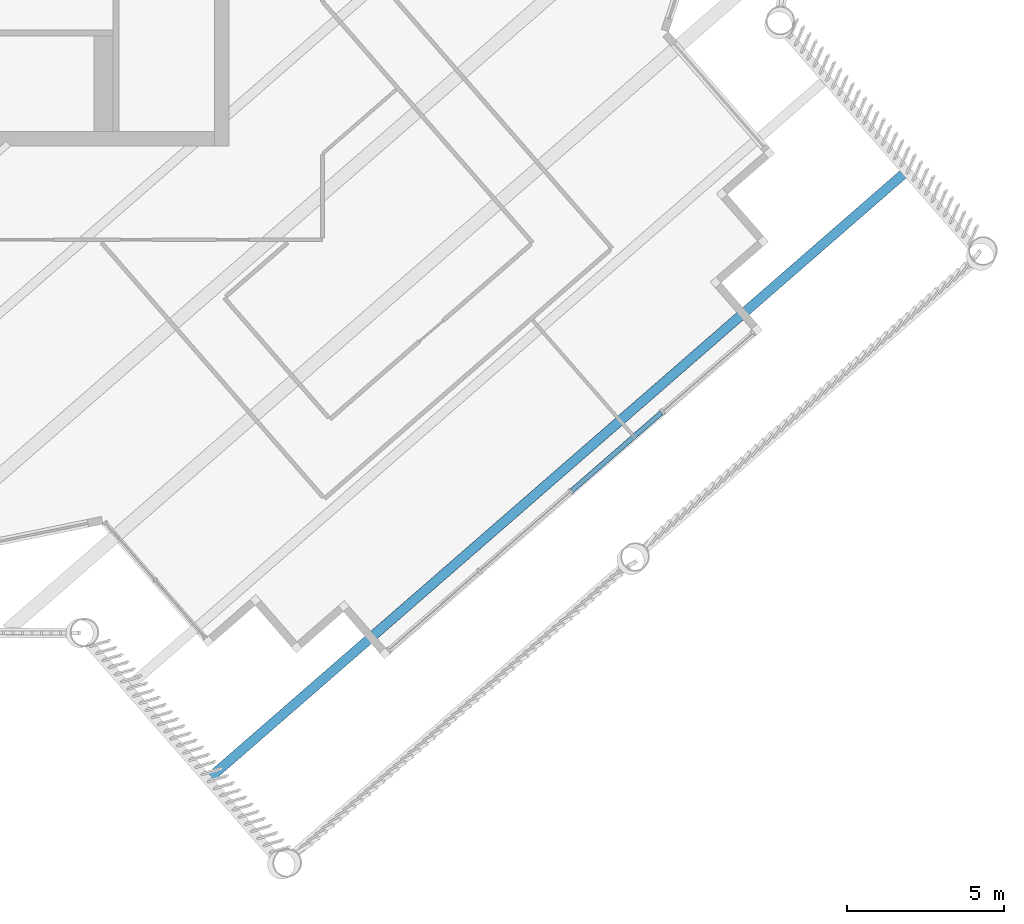
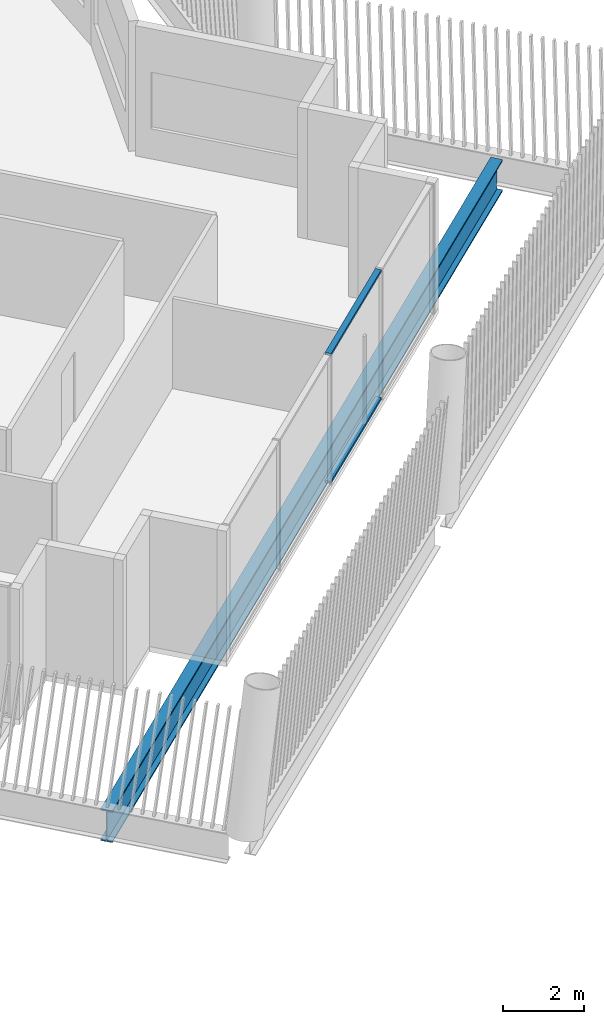
# One storey, part 15 of 28: 2 members, 1 beam, 1 element without a shape of its own.
"""IFC4 building model written with IfcOpenShell, lengths in metres."""

from ifc_helpers import new_model, si_unit, direction, frame, origin, origin_2d, place, context, subcontext, project, spatial, hollow_rectangle, i_section, extrude, material, layer, layer_set, material_profile, profile_set, type_object, element, aggregate, save


model = new_model("IFC4")

# Units and contexts
model_context = context("Model", 3, precision=1e-05, world=origin(), true_north=direction((0.0, 1.0)))
body_context = subcontext(model_context, "Body", "Model", "MODEL_VIEW")
ifc_project = project(units=[si_unit("LENGTHUNIT", "METRE"), si_unit("AREAUNIT", "SQUARE_METRE"), si_unit("VOLUMEUNIT", "CUBIC_METRE"), si_unit("PLANEANGLEUNIT", "RADIAN"), si_unit("MASSUNIT", "GRAM", prefix="KILO")], contexts=[model_context])

# Site, building, storey
site_placement = place(None, origin())
site = spatial("IfcSite", under=ifc_project, at=site_placement, CompositionType="ELEMENT")
building_placement = place(site_placement, origin())
building = spatial("IfcBuilding", under=site, at=building_placement, Name="Tarsis Ring Headquarters", CompositionType="ELEMENT")
storey_placement = place(building_placement, frame((0.0, 0.0, 394.39990234375)))
storey = spatial("IfcBuildingStorey", under=building, at=storey_placement, Name="L93", CompositionType="ELEMENT", Elevation=394.39990234375)

# Curtain wall, members
ifc_material_1 = material(Name="Aluminium curtain wall", Category="aluminium")
ifc_layer = layer(ifc_material_1, 0.199951171875)
ifc_layer_set = layer_set([ifc_layer], Name="Curtain wall executive tip")
curtain_wall_type = type_object("IfcCurtainWallType", Name="Curtain wall executive tip", PredefinedType="NOTDEFINED", material=ifc_layer_set)
curtain_wall_placement = place(storey_placement, origin())
curtain_wall = element("IfcCurtainWall", 1, at=curtain_wall_placement, inside=storey, type_object=curtain_wall_type, Name="Curtain wall L93-11", PredefinedType="NOTDEFINED")
ifc_material_2 = material(Name="Aluminium transom", Category="aluminium")
ifc_material_profile_1 = material_profile(ifc_material_2, hollow_rectangle(XDim=0.159912109375, YDim=0.070068359375, WallThickness=0.0048828125, at=origin_2d()), Name="RHS 160x70x5")
ifc_profile_set_1 = profile_set([ifc_material_profile_1], Name="Aluminium transom")
member_type = type_object("IfcMemberType", Name="Curtain wall transom executive tip RHS 160x70x5", PredefinedType="USERDEFINED", material=ifc_profile_set_1)
member_1_placement = place(storey_placement, frame((20.955078125, -24.018798828125, 0.03515625), z_axis=(0.754247638804, 0.656590054264, 0.0), x_axis=(-0.656590054264, 0.754247638804, 0.0)))
member_1 = element("IfcMember", 2, at=member_1_placement, type_object=member_type, Name="CW-E transom 3.1", ObjectType="TRANSOM", PredefinedType="USERDEFINED", context=body_context, shape_type="SweptSolid", body=[
    extrude(hollow_rectangle(XDim=0.159912109375, YDim=0.070068359375, WallThickness=0.0048828125, at=origin_2d()), origin(), (0.0, 0.0, 1.0), 3.804931640625),
])
member_2_placement = place(storey_placement, frame((20.955078125, -24.018798828125, 3.864990234375), z_axis=(0.754247638804, 0.656590054264, 0.0), x_axis=(-0.656590054264, 0.754247638804, 0.0)))
member_2 = element("IfcMember", 3, at=member_2_placement, type_object=member_type, Name="CW-E transom 3.2", ObjectType="TRANSOM", PredefinedType="USERDEFINED", context=body_context, shape_type="SweptSolid", body=[
    extrude(hollow_rectangle(XDim=0.159912109375, YDim=0.070068359375, WallThickness=0.0048828125, at=origin_2d()), origin(), (0.0, 0.0, 1.0), 3.804931640625),
])
aggregate(curtain_wall, [member_1, member_2])

# Beam
ifc_material_3 = material(Name="Structural steel S355", Category="steel")
ifc_material_profile_2 = material_profile(ifc_material_3, i_section(OverallWidth=0.309814453125, OverallDepth=0.949951171875, WebThickness=0.0244140625, FlangeThickness=0.0439453125, at=origin_2d()), Name="W36x256")
ifc_profile_set_2 = profile_set([ifc_material_profile_2], Name="Structural steel S355")
beam_type = type_object("IfcBeamType", Name="FB Floor beam W36x256", PredefinedType="JOIST", material=ifc_profile_set_2)
beam_placement = place(storey_placement, frame((9.362060546875, -33.2158203125, -0.635009765625), z_axis=(0.754250442133, 0.656586833969, 0.0), x_axis=(-0.656586833969, 0.754250442133, 0.0)))
element("IfcBeam", 4, at=beam_placement, inside=storey, type_object=beam_type, Name="Floor beam FB11", PredefinedType="JOIST", context=body_context, shape_type="SweptSolid", body=[
    extrude(i_section(OverallWidth=0.309814453125, OverallDepth=0.949951171875, WebThickness=0.0244140625, FlangeThickness=0.0439453125, at=origin_2d()), origin(), (0.0, 0.0, 1.0), 29.495361328125),
])

save(model, "model.ifc")
